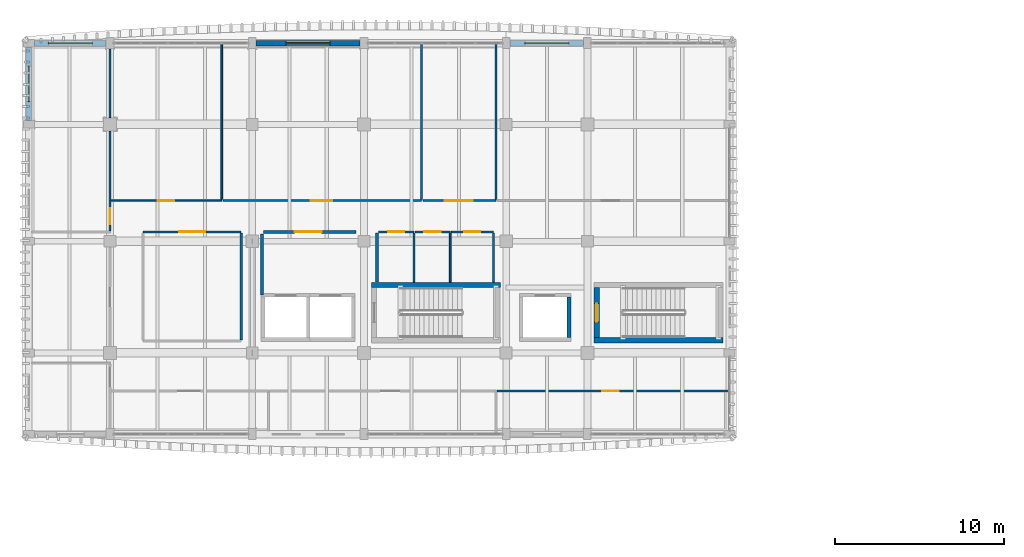
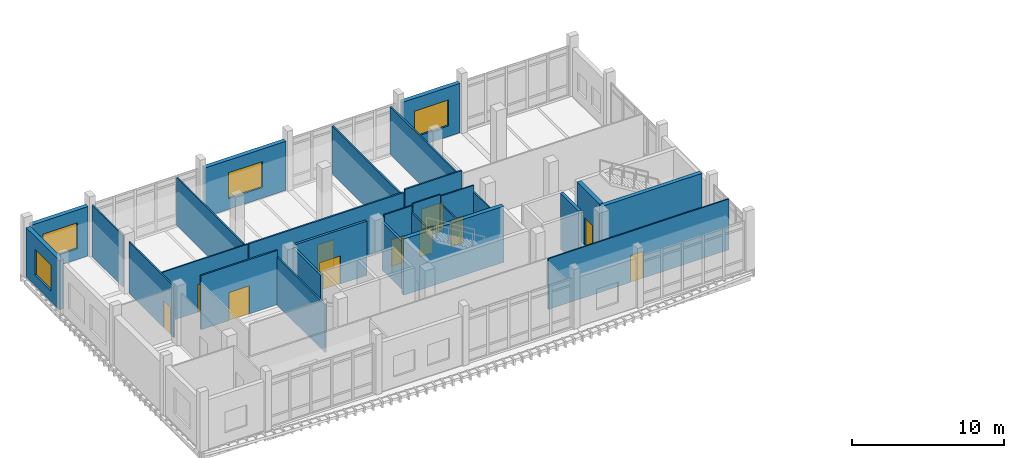
# One storey, part 21 of 39: 28 walls, 11 doors, 4 windows, 15 openings.
"""IFC4 building model written with IfcOpenShell, lengths in metres."""

from ifc_helpers import new_model, si_unit, direction, frame, frame_2d, origin, place, context, subcontext, project, spatial, rectangle, extrude, material, layer, layer_set, type_object, element, fill, save


model = new_model("IFC4")

# Units and contexts
model_context = context("Model", 3, precision=1e-05, world=origin(), true_north=direction((0.0, 1.0)))
body_context = subcontext(model_context, "Body", "Model", "MODEL_VIEW")
ifc_project = project(units=[si_unit("LENGTHUNIT", "METRE"), si_unit("AREAUNIT", "SQUARE_METRE"), si_unit("VOLUMEUNIT", "CUBIC_METRE"), si_unit("PLANEANGLEUNIT", "RADIAN"), si_unit("MASSUNIT", "GRAM", prefix="KILO")], contexts=[model_context])

# Site, building, storey
site_placement = place(None, origin())
site = spatial("IfcSite", under=ifc_project, at=site_placement, CompositionType="ELEMENT")
building_placement = place(site_placement, origin())
building = spatial("IfcBuilding", under=site, at=building_placement, Name="Dornvale Research Institute", CompositionType="ELEMENT")
storey_placement = place(building_placement, frame((0.0, 0.0, 24.60009765625)))
storey = spatial("IfcBuildingStorey", under=building, at=storey_placement, Name="L05", CompositionType="ELEMENT", Elevation=24.60009765625)

# Wall, opening, door
ifc_material_1 = material(Name="Acoustic Insulated Double-Stud Laboratory Partition")
ifc_layer_1 = layer(ifc_material_1, 0.1201171875)
ifc_layer_set_1 = layer_set([ifc_layer_1], Name="Acoustic Insulated Double-Stud Laboratory Partition")
wall_type_1 = type_object("IfcWallType", Name="Partition_Dry_120", PredefinedType="PARTITIONING", material=ifc_layer_set_1)
wall_1_placement = place(storey_placement, frame((6.75, 110.949951171875, 0.0), z_axis=(0.0, 0.0, 1.0), x_axis=(1.0, 0.0, 0.0)))
wall_1 = element("IfcWall", 1, at=wall_1_placement, inside=storey, type_object=wall_type_1, Name="L05 V5 interior partition #452", PredefinedType="PARTITIONING", context=body_context, shape_type="SweptSolid", body=[
    extrude(rectangle(XDim=5.800048828125, YDim=0.1201171875, at=frame_2d((2.89990234375, 0.0))), origin(), (0.0, 0.0, 1.0), 4.344970703125),
])
opening_1_placement = place(wall_1_placement, frame((2.1298828125, 0.0, 0.0)))
opening_1 = element("IfcOpeningElement", 2, at=opening_1_placement, cuts=wall_1, Name="Opening ID-12", PredefinedType="OPENING", context=body_context, shape_type="SweptSolid", body=[
    extrude(rectangle(XDim=1.5400390625, YDim=2.25, at=frame_2d((0.77001953125, 1.125))), frame((0.0, 0.074951171875, 0.0), z_axis=(0.0, -1.0, 0.0), x_axis=(1.0, 0.0, 0.0)), (0.0, 0.0, 1.0), 0.150146484375),
])
ifc_material_2 = material(Name="Phenolic-Faced Solid-Core Laboratory Door Assembly")
door_type_1 = type_object("IfcDoorType", Name="Door_Seminar_1540x2250", OperationType="SINGLE_SWING_LEFT", PredefinedType="DOOR", material=ifc_material_2)
door_1_placement = place(opening_1_placement, origin())
door_1 = element("IfcDoor", 3, at=door_1_placement, inside=storey, type_object=door_type_1, Name="L05 Statistical Consultation Room L05 door #184", OperationType="SINGLE_SWING_LEFT", OverallHeight=2.25, OverallWidth=1.5400390625, PredefinedType="DOOR", context=body_context, shape_type="SweptSolid", body=[
    extrude(rectangle(XDim=1.5400390625, YDim=2.25, at=frame_2d((0.77001953125, 1.125))), frame((0.0, 0.02490234375, 0.0), z_axis=(0.0, -1.0, 0.0), x_axis=(1.0, 0.0, 0.0)), (0.0, 0.0, 1.0), 0.050048828125),
])
fill(opening_1, door_1)

# Wall
wall_2_placement = place(storey_placement, frame((12.550048828125, 104.574951171875, 0.0), z_axis=(0.0, 0.0, 1.0), x_axis=(0.0, 1.0, 0.0)))
element("IfcWall", 4, at=wall_2_placement, inside=storey, type_object=wall_type_1, Name="L05 V5 interior partition #454", PredefinedType="PARTITIONING", context=body_context, shape_type="SweptSolid", body=[
    extrude(rectangle(XDim=6.300048828125, YDim=0.1201171875, at=frame_2d((3.14990234375, 0.0))), origin(), (0.0, 0.0, 1.0), 3.829833984375),
])

# Wall, opening, door
wall_3_placement = place(storey_placement, frame((11.465087890625, 112.800048828125, 0.0), z_axis=(0.0, 0.0, 1.0), x_axis=(1.0, 0.0, 0.0)))
wall_3 = element("IfcWall", 5, at=wall_3_placement, inside=storey, type_object=wall_type_1, Name="L05 V5 interior partition #462", PredefinedType="PARTITIONING", context=body_context, shape_type="SweptSolid", body=[
    extrude(rectangle(XDim=11.73486328125, YDim=0.1201171875, at=frame_2d((5.867431640625, 0.0))), origin(), (0.0, 0.0, 1.0), 4.1298828125),
])
opening_2_placement = place(wall_3_placement, frame((5.205078125, 0.0, 0.0)))
opening_2 = element("IfcOpeningElement", 6, at=opening_2_placement, cuts=wall_3, Name="Opening ID-10", PredefinedType="OPENING", context=body_context, shape_type="SweptSolid", body=[
    extrude(rectangle(XDim=1.260009765625, YDim=2.199951171875, at=frame_2d((0.6298828125, 1.10009765625))), frame((0.0, 0.074951171875, 0.0), z_axis=(0.0, -1.0, 0.0), x_axis=(1.0, 0.0, 0.0)), (0.0, 0.0, 1.0), 0.150146484375),
])
ifc_material_3 = material(Name="Phenolic-Faced Solid-Core Laboratory Door Assembly")
door_type_2 = type_object("IfcDoorType", Name="Door_DryLab_1260x2200", OperationType="SINGLE_SWING_LEFT", PredefinedType="DOOR", material=ifc_material_3)
door_2_placement = place(opening_2_placement, origin())
door_2 = element("IfcDoor", 7, at=door_2_placement, inside=storey, type_object=door_type_2, Name="L05 Applied Mathematics Modelling Studio door #188", OperationType="SINGLE_SWING_LEFT", OverallHeight=2.199951171875, OverallWidth=1.260009765625, PredefinedType="DOOR", context=body_context, shape_type="SweptSolid", body=[
    extrude(rectangle(XDim=1.260009765625, YDim=2.199951171875, at=frame_2d((0.6298828125, 1.10009765625))), frame((0.0, 0.02490234375, 0.0), z_axis=(0.0, -1.0, 0.0), x_axis=(1.0, 0.0, 0.0)), (0.0, 0.0, 1.0), 0.050048828125),
])
fill(opening_2, door_2)

# Wall
wall_4_placement = place(storey_placement, frame((23.199951171875, 112.875, 0.0), z_axis=(0.0, 0.0, 1.0), x_axis=(0.0, 1.0, 0.0)))
element("IfcWall", 8, at=wall_4_placement, inside=storey, type_object=wall_type_1, Name="L05 V5 interior partition #463", PredefinedType="PARTITIONING", context=body_context, shape_type="SweptSolid", body=[
    extrude(rectangle(XDim=9.18505859375, YDim=0.1201171875, at=frame_2d((4.592529296875, 0.0))), origin(), (0.0, 0.0, 1.0), 3.829833984375),
])

# Wall, opening, door
wall_5_placement = place(storey_placement, frame((23.27490234375, 112.800048828125, 0.0), z_axis=(0.0, 0.0, 1.0), x_axis=(1.0, 0.0, 0.0)))
wall_5 = element("IfcWall", 9, at=wall_5_placement, inside=storey, type_object=wall_type_1, Name="L05 V5 interior partition #464", PredefinedType="PARTITIONING", context=body_context, shape_type="SweptSolid", body=[
    extrude(rectangle(XDim=4.3251953125, YDim=0.1201171875, at=frame_2d((2.16259765625, 0.0))), origin(), (0.0, 0.0, 1.0), 4.344970703125),
])
opening_3_placement = place(wall_5_placement, frame((1.284912109375, 0.0, 0.0)))
opening_3 = element("IfcOpeningElement", 10, at=opening_3_placement, cuts=wall_5, Name="Opening ID-11", PredefinedType="OPENING", context=body_context, shape_type="SweptSolid", body=[
    extrude(rectangle(XDim=1.679931640625, YDim=2.300048828125, at=frame_2d((0.83984375, 1.14990234375))), frame((0.0, 0.074951171875, 0.0), z_axis=(0.0, -1.0, 0.0), x_axis=(1.0, 0.0, 0.0)), (0.0, 0.0, 1.0), 0.150146484375),
])
ifc_material_4 = material(Name="Phenolic-Faced Solid-Core Laboratory Door Assembly")
door_type_3 = type_object("IfcDoorType", Name="Door_Seminar_1680x2300", OperationType="SINGLE_SWING_LEFT", PredefinedType="DOOR", material=ifc_material_4)
door_3_placement = place(opening_3_placement, origin())
door_3 = element("IfcDoor", 11, at=door_3_placement, inside=storey, type_object=door_type_3, Name="L05 Seminar Room L05 door #189", OperationType="DOUBLE_DOOR_SINGLE_SWING", OverallHeight=2.300048828125, OverallWidth=1.679931640625, PredefinedType="DOOR", context=body_context, shape_type="SweptSolid", body=[
    extrude(rectangle(XDim=1.679931640625, YDim=2.300048828125, at=frame_2d((0.83984375, 1.14990234375))), frame((0.0, 0.02490234375, 0.0), z_axis=(0.0, -1.0, 0.0), x_axis=(1.0, 0.0, 0.0)), (0.0, 0.0, 1.0), 0.050048828125),
])
fill(opening_3, door_3)

# Wall
wall_6_placement = place(storey_placement, frame((27.60009765625, 112.875, 0.0), z_axis=(0.0, 0.0, 1.0), x_axis=(0.0, 1.0, 0.0)))
element("IfcWall", 12, at=wall_6_placement, inside=storey, type_object=wall_type_1, Name="L05 V5 interior partition #465", PredefinedType="PARTITIONING", context=body_context, shape_type="SweptSolid", body=[
    extrude(rectangle(XDim=9.18505859375, YDim=0.1201171875, at=frame_2d((4.592529296875, 0.0))), origin(), (0.0, 0.0, 1.0), 3.829833984375),
])

# Wall, opening, door
ifc_material_5 = material(Name="Fire-Rated Gypsum Board on Cold-Formed Steel Studs", Category="steel")
ifc_layer_2 = layer(ifc_material_5, 0.179931640625)
ifc_layer_set_2 = layer_set([ifc_layer_2], Name="Fire-Rated Gypsum Board on Cold-Formed Steel Studs")
wall_type_2 = type_object("IfcWallType", Name="Partition_FireLobby_180", PredefinedType="PARTITIONING", material=ifc_layer_set_2)
wall_7_placement = place(storey_placement, frame((13.85009765625, 110.949951171875, 0.0), z_axis=(0.0, 0.0, 1.0), x_axis=(1.0, 0.0, 0.0)))
wall_7 = element("IfcWall", 13, at=wall_7_placement, inside=storey, type_object=wall_type_2, Name="L05 Fire Service Access Elevator Lobby north rated partition", PredefinedType="PARTITIONING", context=body_context, shape_type="SweptSolid", body=[
    extrude(rectangle(XDim=5.469970703125, YDim=0.179931640625, at=frame_2d((2.73486328125, 0.0))), origin(), (0.0, 0.0, 1.0), 4.344970703125),
])
opening_4_placement = place(wall_7_placement, frame((1.85009765625, 0.0, 0.0)))
opening_4 = element("IfcOpeningElement", 14, at=opening_4_placement, cuts=wall_7, Name="Opening FD-01", PredefinedType="OPENING", context=body_context, shape_type="SweptSolid", body=[
    extrude(rectangle(XDim=1.60009765625, YDim=2.25, at=frame_2d((0.800048828125, 1.125))), frame((0.0, 0.10498046875, 0.0), z_axis=(0.0, -1.0, 0.0), x_axis=(1.0, 0.0, 0.0)), (0.0, 0.0, 1.0), 0.2099609375),
])
ifc_material_6 = material(Name="Insulated Fire-Rated Hollow Metal Door Assembly")
door_type_4 = type_object("IfcDoorType", Name="Door_FireLobby_1600x2250", OperationType="SINGLE_SWING_LEFT", PredefinedType="DOOR", material=ifc_material_6)
door_4_placement = place(opening_4_placement, origin())
door_4 = element("IfcDoor", 15, at=door_4_placement, inside=storey, type_object=door_type_4, Name="L05 Fire Service Access Elevator Lobby door", OperationType="DOUBLE_DOOR_SINGLE_SWING", OverallHeight=2.25, OverallWidth=1.60009765625, PredefinedType="DOOR", context=body_context, shape_type="SweptSolid", body=[
    extrude(rectangle(XDim=1.60009765625, YDim=2.25, at=frame_2d((0.800048828125, 1.125))), frame((0.0, 0.02490234375, 0.0), z_axis=(0.0, -1.0, 0.0), x_axis=(1.0, 0.0, 0.0)), (0.0, 0.0, 1.0), 0.050048828125),
])
fill(opening_4, door_4)

# Walls
wall_8_placement = place(storey_placement, frame((13.780029296875, 107.22998046875, 0.0), z_axis=(0.0, 0.0, 1.0), x_axis=(0.0, 1.0, 0.0)))
element("IfcWall", 16, at=wall_8_placement, inside=storey, type_object=wall_type_2, Name="L05 Fire Service Access Elevator Lobby west rated partition", PredefinedType="PARTITIONING", context=body_context, shape_type="SweptSolid", body=[
    extrude(rectangle(XDim=3.610107421875, YDim=0.179931640625, at=frame_2d((1.80517578125, 0.0))), origin(), (0.0, 0.0, 1.0), 4.179931640625),
])
wall_9_placement = place(storey_placement, frame((20.56005859375, 107.97998046875, 0.0), z_axis=(0.0, 0.0, 1.0), x_axis=(0.0, 1.0, 0.0)))
element("IfcWall", 17, at=wall_9_placement, inside=storey, type_object=wall_type_2, Name="L05 Fire Service Access Elevator Lobby east rated partition", PredefinedType="PARTITIONING", context=body_context, shape_type="SweptSolid", body=[
    extrude(rectangle(XDim=2.909912109375, YDim=0.179931640625, at=frame_2d((1.455078125, 0.0))), origin(), (0.0, 0.0, 1.0), 3.829833984375),
])

# Wall, opening, door
ifc_material_7 = material(Name="Acoustic Insulated Double-Stud Laboratory Partition")
ifc_layer_3 = layer(ifc_material_7, 0.10009765625)
ifc_layer_set_3 = layer_set([ifc_layer_3], Name="Acoustic Insulated Double-Stud Laboratory Partition")
wall_type_3 = type_object("IfcWallType", Name="Partition_Office_100", PredefinedType="PARTITIONING", material=ifc_layer_set_3)
wall_10_placement = place(storey_placement, frame((20.6650390625, 110.949951171875, 0.0), z_axis=(0.0, 0.0, 1.0), x_axis=(1.0, 0.0, 0.0)))
wall_10 = element("IfcWall", 18, at=wall_10_placement, inside=storey, type_object=wall_type_3, Name="L05 V5 interior partition #445", PredefinedType="PARTITIONING", context=body_context, shape_type="SweptSolid", body=[
    extrude(rectangle(XDim=2.0849609375, YDim=0.10009765625, at=frame_2d((1.04248046875, 0.0))), origin(), (0.0, 0.0, 1.0), 4.344970703125),
])
opening_5_placement = place(wall_10_placement, frame((0.56005859375, 0.0, 0.0)))
opening_5 = element("IfcOpeningElement", 19, at=opening_5_placement, cuts=wall_10, Name="Opening ID-23", PredefinedType="OPENING", context=body_context, shape_type="SweptSolid", body=[
    extrude(rectangle(XDim=0.949951171875, YDim=2.14990234375, at=frame_2d((0.47509765625, 1.074951171875))), frame((0.0, 0.06494140625, 0.0), z_axis=(0.0, -1.0, 0.0), x_axis=(1.0, 0.0, 0.0)), (0.0, 0.0, 1.0), 0.130126953125),
])
ifc_material_8 = material(Name="Phenolic-Faced Solid-Core Laboratory Door Assembly")
door_type_5 = type_object("IfcDoorType", Name="Door_WC_950x2150", OperationType="SINGLE_SWING_LEFT", PredefinedType="DOOR", material=ifc_material_8)
door_5_placement = place(opening_5_placement, origin())
door_5 = element("IfcDoor", 20, at=door_5_placement, inside=storey, type_object=door_type_5, Name="L05 Male Restroom L05 door #181", OperationType="SINGLE_SWING_RIGHT", OverallHeight=2.14990234375, OverallWidth=0.949951171875, PredefinedType="DOOR", context=body_context, shape_type="SweptSolid", body=[
    extrude(rectangle(XDim=0.949951171875, YDim=2.14990234375, at=frame_2d((0.47509765625, 1.074951171875))), frame((0.0, 0.02490234375, 0.0), z_axis=(0.0, -1.0, 0.0), x_axis=(1.0, 0.0, 0.0)), (0.0, 0.0, 1.0), 0.050048828125),
])
fill(opening_5, door_5)

# Wall
wall_11_placement = place(storey_placement, frame((22.75, 107.97998046875, 0.0), z_axis=(0.0, 0.0, 1.0), x_axis=(0.0, 1.0, 0.0)))
element("IfcWall", 21, at=wall_11_placement, inside=storey, type_object=wall_type_3, Name="L05 V5 interior partition #446", PredefinedType="PARTITIONING", context=body_context, shape_type="SweptSolid", body=[
    extrude(rectangle(XDim=2.905029296875, YDim=0.10009765625, at=frame_2d((1.45263671875, 0.0))), origin(), (0.0, 0.0, 1.0), 3.829833984375),
])

# Wall, opening, door
wall_12_placement = place(storey_placement, frame((22.81494140625, 110.949951171875, 0.0), z_axis=(0.0, 0.0, 1.0), x_axis=(1.0, 0.0, 0.0)))
wall_12 = element("IfcWall", 22, at=wall_12_placement, inside=storey, type_object=wall_type_3, Name="L05 V5 interior partition #447", PredefinedType="PARTITIONING", context=body_context, shape_type="SweptSolid", body=[
    extrude(rectangle(XDim=2.0849609375, YDim=0.10009765625, at=frame_2d((1.04248046875, 0.0))), origin(), (0.0, 0.0, 1.0), 4.47998046875),
])
opening_6_placement = place(wall_12_placement, frame((0.534912109375, 0.0, 0.0)))
opening_6 = element("IfcOpeningElement", 23, at=opening_6_placement, cuts=wall_12, Name="Opening ID-24", PredefinedType="OPENING", context=body_context, shape_type="SweptSolid", body=[
    extrude(rectangle(XDim=1.0, YDim=2.14990234375, at=frame_2d((0.5, 1.074951171875))), frame((0.0, 0.06494140625, 0.0), z_axis=(0.0, -1.0, 0.0), x_axis=(1.0, 0.0, 0.0)), (0.0, 0.0, 1.0), 0.130126953125),
])
ifc_material_9 = material(Name="Phenolic-Faced Solid-Core Laboratory Door Assembly")
door_type_6 = type_object("IfcDoorType", Name="Door_AccWC_1000x2150", OperationType="SINGLE_SWING_LEFT", PredefinedType="DOOR", material=ifc_material_9)
door_6_placement = place(opening_6_placement, origin())
door_6 = element("IfcDoor", 24, at=door_6_placement, inside=storey, type_object=door_type_6, Name="L05 Female Restroom L05 door #182", OperationType="SINGLE_SWING_LEFT", OverallHeight=2.14990234375, OverallWidth=1.0, PredefinedType="DOOR", context=body_context, shape_type="SweptSolid", body=[
    extrude(rectangle(XDim=1.0, YDim=2.14990234375, at=frame_2d((0.5, 1.074951171875))), frame((0.0, 0.02490234375, 0.0), z_axis=(0.0, -1.0, 0.0), x_axis=(1.0, 0.0, 0.0)), (0.0, 0.0, 1.0), 0.050048828125),
])
fill(opening_6, door_6)

# Wall
wall_13_placement = place(storey_placement, frame((24.89990234375, 107.97998046875, 0.0), z_axis=(0.0, 0.0, 1.0), x_axis=(0.0, 1.0, 0.0)))
element("IfcWall", 25, at=wall_13_placement, inside=storey, type_object=wall_type_3, Name="L05 V5 interior partition #448", PredefinedType="PARTITIONING", context=body_context, shape_type="SweptSolid", body=[
    extrude(rectangle(XDim=2.905029296875, YDim=0.10009765625, at=frame_2d((1.45263671875, 0.0))), origin(), (0.0, 0.0, 1.0), 3.829833984375),
])

# Wall, opening, door
wall_14_placement = place(storey_placement, frame((24.965087890625, 110.949951171875, 0.0), z_axis=(0.0, 0.0, 1.0), x_axis=(1.0, 0.0, 0.0)))
wall_14 = element("IfcWall", 26, at=wall_14_placement, inside=storey, type_object=wall_type_3, Name="L05 V5 interior partition #449", PredefinedType="PARTITIONING", context=body_context, shape_type="SweptSolid", body=[
    extrude(rectangle(XDim=2.48486328125, YDim=0.10009765625, at=frame_2d((1.242431640625, 0.0))), origin(), (0.0, 0.0, 1.0), 4.344970703125),
])
opening_7_placement = place(wall_14_placement, frame((0.760009765625, 0.0, 0.0)))
opening_7 = element("IfcOpeningElement", 27, at=opening_7_placement, cuts=wall_14, Name="Opening ID-23", PredefinedType="OPENING", context=body_context, shape_type="SweptSolid", body=[
    extrude(rectangle(XDim=0.949951171875, YDim=2.14990234375, at=frame_2d((0.47509765625, 1.074951171875))), frame((0.0, 0.06494140625, 0.0), z_axis=(0.0, -1.0, 0.0), x_axis=(1.0, 0.0, 0.0)), (0.0, 0.0, 1.0), 0.130126953125),
])
door_7_placement = place(opening_7_placement, origin())
door_7 = element("IfcDoor", 28, at=door_7_placement, inside=storey, type_object=door_type_5, Name="L05 Accessible Restroom L05 door #183", OperationType="SINGLE_SWING_RIGHT", OverallHeight=2.14990234375, OverallWidth=0.949951171875, PredefinedType="DOOR", context=body_context, shape_type="SweptSolid", body=[
    extrude(rectangle(XDim=0.949951171875, YDim=2.14990234375, at=frame_2d((0.47509765625, 1.074951171875))), frame((0.0, 0.02490234375, 0.0), z_axis=(0.0, -1.0, 0.0), x_axis=(1.0, 0.0, 0.0)), (0.0, 0.0, 1.0), 0.050048828125),
])
fill(opening_7, door_7)

# Wall
wall_15_placement = place(storey_placement, frame((27.449951171875, 107.97998046875, 0.0), z_axis=(0.0, 0.0, 1.0), x_axis=(0.0, 1.0, 0.0)))
element("IfcWall", 29, at=wall_15_placement, inside=storey, type_object=wall_type_3, Name="L05 V5 interior partition #450", PredefinedType="PARTITIONING", context=body_context, shape_type="SweptSolid", body=[
    extrude(rectangle(XDim=2.905029296875, YDim=0.10009765625, at=frame_2d((1.45263671875, 0.0))), origin(), (0.0, 0.0, 1.0), 3.829833984375),
])

# Wall, opening, door
wall_16_placement = place(storey_placement, frame((4.800048828125, 111.014892578125, 0.0), z_axis=(0.0, 0.0, 1.0), x_axis=(0.0, 1.0, 0.0)))
wall_16 = element("IfcWall", 30, at=wall_16_placement, inside=storey, type_object=wall_type_3, Name="L05 V5 interior partition #458", PredefinedType="PARTITIONING", context=body_context, shape_type="SweptSolid", body=[
    extrude(rectangle(XDim=5.89013671875, YDim=0.10009765625, at=frame_2d((2.945068359375, 0.0))), origin(), (0.0, 0.0, 1.0), 4.1298828125),
])
opening_8_placement = place(wall_16_placement, frame((0.385009765625, 0.0, 0.0)))
opening_8 = element("IfcOpeningElement", 31, at=opening_8_placement, cuts=wall_16, Name="Opening ID-22", PredefinedType="OPENING", context=body_context, shape_type="SweptSolid", body=[
    extrude(rectangle(XDim=0.9599609375, YDim=2.14990234375, at=frame_2d((0.47998046875, 1.074951171875))), frame((0.0, 0.06494140625, 0.0), z_axis=(0.0, -1.0, 0.0), x_axis=(1.0, 0.0, 0.0)), (0.0, 0.0, 1.0), 0.130126953125),
])
ifc_material_10 = material(Name="Phenolic-Faced Solid-Core Laboratory Door Assembly")
door_type_7 = type_object("IfcDoorType", Name="Door_Office_960x2150", OperationType="SINGLE_SWING_LEFT", PredefinedType="DOOR", material=ifc_material_10)
door_8_placement = place(opening_8_placement, origin())
door_8 = element("IfcDoor", 32, at=door_8_placement, inside=storey, type_object=door_type_7, Name="L05 Principal Investigator Office L05-A door #186", OperationType="SINGLE_SWING_LEFT", OverallHeight=2.14990234375, OverallWidth=0.9599609375, PredefinedType="DOOR", context=body_context, shape_type="SweptSolid", body=[
    extrude(rectangle(XDim=0.9599609375, YDim=2.14990234375, at=frame_2d((0.47998046875, 1.074951171875))), frame((0.0, 0.02490234375, 0.0), z_axis=(0.0, -1.0, 0.0), x_axis=(1.0, 0.0, 0.0)), (0.0, 0.0, 1.0), 0.050048828125),
])
fill(opening_8, door_8)

# Wall
wall_17_placement = place(storey_placement, frame((4.800048828125, 117.695068359375, 0.0), z_axis=(0.0, 0.0, 1.0), x_axis=(0.0, 1.0, 0.0)))
element("IfcWall", 33, at=wall_17_placement, inside=storey, type_object=wall_type_3, Name="L05 V5 interior partition #459", PredefinedType="PARTITIONING", context=body_context, shape_type="SweptSolid", body=[
    extrude(rectangle(XDim=4.059814453125, YDim=0.10009765625, at=frame_2d((2.02978515625, 0.0))), origin(), (0.0, 0.0, 1.0), 4.1298828125),
])

# Wall, opening, door
wall_18_placement = place(storey_placement, frame((4.864990234375, 112.800048828125, 0.0), z_axis=(0.0, 0.0, 1.0), x_axis=(1.0, 0.0, 0.0)))
wall_18 = element("IfcWall", 34, at=wall_18_placement, inside=storey, type_object=wall_type_3, Name="L05 V5 interior partition #460", PredefinedType="PARTITIONING", context=body_context, shape_type="SweptSolid", body=[
    extrude(rectangle(XDim=6.534912109375, YDim=0.10009765625, at=frame_2d((3.267578125, 0.0))), origin(), (0.0, 0.0, 1.0), 4.1298828125),
])
opening_9_placement = place(wall_18_placement, frame((2.7451171875, 0.0, 0.0)))
opening_9 = element("IfcOpeningElement", 35, at=opening_9_placement, cuts=wall_18, Name="Opening ID-21", PredefinedType="OPENING", context=body_context, shape_type="SweptSolid", body=[
    extrude(rectangle(XDim=0.97998046875, YDim=2.199951171875, at=frame_2d((0.489990234375, 1.10009765625))), frame((0.0, 0.06494140625, 0.0), z_axis=(0.0, -1.0, 0.0), x_axis=(1.0, 0.0, 0.0)), (0.0, 0.0, 1.0), 0.130126953125),
])
ifc_material_11 = material(Name="Phenolic-Faced Solid-Core Laboratory Door Assembly")
door_type_8 = type_object("IfcDoorType", Name="Door_Office_980x2200", OperationType="SINGLE_SWING_LEFT", PredefinedType="DOOR", material=ifc_material_11)
door_9_placement = place(opening_9_placement, origin())
door_9 = element("IfcDoor", 36, at=door_9_placement, inside=storey, type_object=door_type_8, Name="L05 Principal Investigator Office L05-A door #187", OperationType="SINGLE_SWING_RIGHT", OverallHeight=2.199951171875, OverallWidth=0.97998046875, PredefinedType="DOOR", context=body_context, shape_type="SweptSolid", body=[
    extrude(rectangle(XDim=0.97998046875, YDim=2.199951171875, at=frame_2d((0.489990234375, 1.10009765625))), frame((0.0, 0.02490234375, 0.0), z_axis=(0.0, -1.0, 0.0), x_axis=(1.0, 0.0, 0.0)), (0.0, 0.0, 1.0), 0.050048828125),
])
fill(opening_9, door_9)

# Wall
wall_19_placement = place(storey_placement, frame((11.39990234375, 112.864990234375, 0.0), z_axis=(0.0, 0.0, 1.0), x_axis=(0.0, 1.0, 0.0)))
element("IfcWall", 37, at=wall_19_placement, inside=storey, type_object=wall_type_3, Name="L05 V5 interior partition #461", PredefinedType="PARTITIONING", context=body_context, shape_type="SweptSolid", body=[
    extrude(rectangle(XDim=9.195068359375, YDim=0.10009765625, at=frame_2d((4.59765625, 0.0))), origin(), (0.0, 0.0, 1.0), 3.829833984375),
])

# Wall, opening, door
wall_20_placement = place(storey_placement, frame((27.6650390625, 101.550048828125, 0.0), z_axis=(0.0, 0.0, 1.0), x_axis=(1.0, 0.0, 0.0)))
wall_20 = element("IfcWall", 38, at=wall_20_placement, inside=storey, type_object=wall_type_3, Name="L05 V5 interior partition #472", PredefinedType="PARTITIONING", context=body_context, shape_type="SweptSolid", body=[
    extrude(rectangle(XDim=13.695068359375, YDim=0.10009765625, at=frame_2d((6.84765625, 0.0))), origin(), (0.0, 0.0, 1.0), 4.079833984375),
])
opening_10_placement = place(wall_20_placement, frame((6.215087890625, 0.0, 0.0)))
opening_10 = element("IfcOpeningElement", 39, at=opening_10_placement, cuts=wall_20, Name="Opening ID-22", PredefinedType="OPENING", context=body_context, shape_type="SweptSolid", body=[
    extrude(rectangle(XDim=0.9599609375, YDim=2.14990234375, at=frame_2d((0.47998046875, 1.074951171875))), frame((0.0, 0.06494140625, 0.0), z_axis=(0.0, -1.0, 0.0), x_axis=(1.0, 0.0, 0.0)), (0.0, 0.0, 1.0), 0.130126953125),
])
door_10_placement = place(opening_10_placement, origin())
door_10 = element("IfcDoor", 40, at=door_10_placement, inside=storey, type_object=door_type_7, Name="L05 Faculty Office L05-S door #194", OperationType="SINGLE_SWING_LEFT", OverallHeight=2.14990234375, OverallWidth=0.9599609375, PredefinedType="DOOR", context=body_context, shape_type="SweptSolid", body=[
    extrude(rectangle(XDim=0.9599609375, YDim=2.14990234375, at=frame_2d((0.47998046875, 1.074951171875))), frame((0.0, 0.02490234375, 0.0), z_axis=(0.0, -1.0, 0.0), x_axis=(1.0, 0.0, 0.0)), (0.0, 0.0, 1.0), 0.050048828125),
])
fill(opening_10, door_10)

# Walls
ifc_material_12 = material(Name="Concrete f'c 50 MPa (C40/50)", Category="concrete")
ifc_layer_4 = layer(ifc_material_12, 0.300048828125)
ifc_layer_set_4 = layer_set([ifc_layer_4], Name="Concrete f'c 50 MPa (C40/50)")
wall_type_4 = type_object("IfcWallType", Name="ShearWall_Core_300", PredefinedType="SHEAR", material=ifc_layer_set_4)
for number, where, z_axis, x_axis, name in (
    (41, (20.25, 107.81005859375, 0.0), (0.0, 0.0, 1.0), (1.0, 0.0, 0.0), "L05 ST-1 shaft shear wall north"),
    (42, (33.39990234375, 104.550048828125, 0.0), (0.0, 0.0, 1.0), (1.0, 0.0, 0.0), "L05 ST-2 shaft shear wall south"),
):
    element("IfcWall", number, at=place(storey_placement, frame(where, z_axis=z_axis, x_axis=x_axis)), inside=storey, type_object=wall_type_4, Name=name, PredefinedType="SHEAR", context=body_context, shape_type="SweptSolid", body=[
        extrude(rectangle(XDim=7.60009765625, YDim=0.300048828125, at=frame_2d((3.800048828125, 0.0))), origin(), (0.0, 0.0, 1.0), 4.5),
    ])

# Wall, opening, door
wall_21_placement = place(storey_placement, frame((33.550048828125, 104.699951171875, 0.0), z_axis=(0.0, 0.0, 1.0), x_axis=(0.0, 1.0, 0.0)))
wall_21 = element("IfcWall", 43, at=wall_21_placement, inside=storey, type_object=wall_type_4, Name="L05 ST-2 shaft shear wall west", PredefinedType="SHEAR", context=body_context, shape_type="SweptSolid", body=[
    extrude(rectangle(XDim=2.9599609375, YDim=0.300048828125, at=frame_2d((1.47998046875, 0.0))), origin(), (0.0, 0.0, 1.0), 4.5),
])
opening_11_placement = place(wall_21_placement, frame((0.93994140625, 0.0, 0.0)))
opening_11 = element("IfcOpeningElement", 44, at=opening_11_placement, cuts=wall_21, Name="Opening SD-02", PredefinedType="OPENING", context=body_context, shape_type="SweptSolid", body=[
    extrude(rectangle(XDim=1.080078125, YDim=2.199951171875, at=frame_2d((0.5400390625, 1.10009765625))), frame((0.0, 0.1650390625, 0.0), z_axis=(0.0, -1.0, 0.0), x_axis=(1.0, 0.0, 0.0)), (0.0, 0.0, 1.0), 0.330078125),
])
ifc_material_13 = material(Name="Insulated Fire-Rated Hollow Metal Door Assembly")
door_type_9 = type_object("IfcDoorType", Name="Door_Stair_1080x2200", OperationType="SINGLE_SWING_LEFT", PredefinedType="DOOR", material=ifc_material_13)
door_11_placement = place(opening_11_placement, origin())
door_11 = element("IfcDoor", 45, at=door_11_placement, inside=storey, type_object=door_type_9, Name="L05 ST-2 exit stair door #19", OperationType="SINGLE_SWING_RIGHT", OverallHeight=2.199951171875, OverallWidth=1.080078125, PredefinedType="DOOR", context=body_context, shape_type="SweptSolid", body=[
    extrude(rectangle(XDim=1.080078125, YDim=2.199951171875, at=frame_2d((0.5400390625, 1.10009765625))), frame((0.0, 0.02490234375, 0.0), z_axis=(0.0, -1.0, 0.0), x_axis=(1.0, 0.0, 0.0)), (0.0, 0.0, 1.0), 0.050048828125),
])
fill(opening_11, door_11)

# Wall
ifc_material_14 = material(Name="Concrete f'c 45 MPa (C35/45)", Category="concrete")
ifc_layer_5 = layer(ifc_material_14, 0.219970703125)
ifc_layer_set_5 = layer_set([ifc_layer_5], Name="Concrete f'c 45 MPa (C35/45)")
wall_type_5 = type_object("IfcWallType", Name="ShearWall_Shaft_220", PredefinedType="SHEAR", material=ifc_layer_set_5)
wall_22_placement = place(storey_placement, frame((31.909912109375, 104.699951171875, 0.0), z_axis=(0.0, 0.0, 1.0), x_axis=(0.0, 1.0, 0.0)))
element("IfcWall", 46, at=wall_22_placement, inside=storey, type_object=wall_type_5, Name="L05 LP1 elevator shaft wall east", PredefinedType="SHEAR", context=body_context, shape_type="SweptSolid", body=[
    extrude(rectangle(XDim=2.400146484375, YDim=0.219970703125, at=frame_2d((1.2001953125, 0.0))), origin(), (0.0, 0.0, 1.0), 4.5),
])

# Wall, opening, window
ifc_material_15 = material(Name="Catalan Pressed Brick and Insulated Cavity Assembly", Category="masonry")
ifc_layer_6 = layer(ifc_material_15, 0.320068359375)
ifc_layer_set_6 = layer_set([ifc_layer_6], Name="Catalan Pressed Brick and Insulated Cavity Assembly")
wall_type_6 = type_object("IfcWallType", Name="StandardWall_BrickCavity_320", PredefinedType="STANDARD", material=ifc_layer_set_6)
wall_23_placement = place(storey_placement, frame((0.0, 117.52490234375, 0.0), z_axis=(0.0, 0.0, 1.0), x_axis=(0.0, 1.0, 0.0)))
wall_23 = element("IfcWall", 47, at=wall_23_placement, inside=storey, type_object=wall_type_6, Name="L05 V5 west exterior wall #360", PredefinedType="STANDARD", context=body_context, shape_type="SweptSolid", body=[
    extrude(rectangle(XDim=4.35009765625, YDim=0.320068359375, at=frame_2d((2.175048828125, 0.0))), origin(), (0.0, 0.0, 1.0), 3.949951171875),
])
opening_12_placement = place(wall_23_placement, frame((1.125, 0.0, 0.85009765625)))
opening_12 = element("IfcOpeningElement", 48, at=opening_12_placement, cuts=wall_23, Name="Opening W-43", PredefinedType="OPENING", context=body_context, shape_type="SweptSolid", body=[
    extrude(rectangle(XDim=2.10009765625, YDim=2.080078125, at=frame_2d((1.050048828125, 1.0400390625))), frame((0.0, 0.175048828125, 0.0), z_axis=(0.0, -1.0, 0.0), x_axis=(1.0, 0.0, 0.0)), (0.0, 0.0, 1.0), 0.35009765625),
])
ifc_material_16 = material(Name="Low-E Argon Double Insulating Glazing Unit", Category="glass")
window_type_1 = type_object("IfcWindowType", Name="Window_Alu_2100x2080_43", PartitioningType="DOUBLE_PANEL_VERTICAL", PredefinedType="WINDOW", material=ifc_material_16)
window_1_placement = place(opening_12_placement, origin())
window_1 = element("IfcWindow", 49, at=window_1_placement, inside=storey, type_object=window_type_1, Name="L05 V5 facade window W-43 #481", OverallHeight=2.080078125, OverallWidth=2.10009765625, PartitioningType="DOUBLE_PANEL_VERTICAL", PredefinedType="WINDOW", context=body_context, shape_type="SweptSolid", body=[
    extrude(rectangle(XDim=2.10009765625, YDim=2.080078125, at=frame_2d((1.050048828125, 1.0400390625))), frame((0.0, 0.030029296875, 0.0), z_axis=(0.0, -1.0, 0.0), x_axis=(1.0, 0.0, 0.0)), (0.0, 0.0, 1.0), 0.06005859375),
])
fill(opening_12, window_1)

wall_24_placement = place(storey_placement, frame((0.324951171875, 122.10009765625, 0.0), z_axis=(0.0, 0.0, 1.0), x_axis=(1.0, 0.0, 0.0)))
wall_24 = element("IfcWall", 50, at=wall_24_placement, inside=storey, type_object=wall_type_6, Name="L05 V5 north exterior wall #361", PredefinedType="STANDARD", context=body_context, shape_type="SweptSolid", body=[
    extrude(rectangle(XDim=4.25, YDim=0.320068359375, at=frame_2d((2.125, 0.0))), origin(), (0.0, 0.0, 1.0), 3.949951171875),
])
opening_13_placement = place(wall_24_placement, frame((0.824951171875, 0.0, 0.85009765625)))
opening_13 = element("IfcOpeningElement", 51, at=opening_13_placement, cuts=wall_24, Name="Opening W-46", PredefinedType="OPENING", context=body_context, shape_type="SweptSolid", body=[
    extrude(rectangle(XDim=2.60009765625, YDim=2.080078125, at=frame_2d((1.300048828125, 1.0400390625))), frame((0.0, 0.175048828125, 0.0), z_axis=(0.0, -1.0, 0.0), x_axis=(1.0, 0.0, 0.0)), (0.0, 0.0, 1.0), 0.35009765625),
])
ifc_material_17 = material(Name="Low-E Argon Double Insulating Glazing Unit", Category="glass")
window_type_2 = type_object("IfcWindowType", Name="Window_Alu_2600x2080_46", PartitioningType="DOUBLE_PANEL_VERTICAL", PredefinedType="WINDOW", material=ifc_material_17)
window_2_placement = place(opening_13_placement, origin())
window_2 = element("IfcWindow", 52, at=window_2_placement, inside=storey, type_object=window_type_2, Name="L05 V5 facade window W-46 #482", OverallHeight=2.080078125, OverallWidth=2.60009765625, PartitioningType="DOUBLE_PANEL_VERTICAL", PredefinedType="WINDOW", context=body_context, shape_type="SweptSolid", body=[
    extrude(rectangle(XDim=2.60009765625, YDim=2.080078125, at=frame_2d((1.300048828125, 1.0400390625))), frame((0.0, 0.030029296875, 0.0), z_axis=(0.0, -1.0, 0.0), x_axis=(1.0, 0.0, 0.0)), (0.0, 0.0, 1.0), 0.06005859375),
])
fill(opening_13, window_2)

wall_25_placement = place(storey_placement, frame((13.425048828125, 122.10009765625, 0.0), z_axis=(0.0, 0.0, 1.0), x_axis=(1.0, 0.0, 0.0)))
wall_25 = element("IfcWall", 53, at=wall_25_placement, inside=storey, type_object=wall_type_6, Name="L05 V5 north exterior wall #362", PredefinedType="STANDARD", context=body_context, shape_type="SweptSolid", body=[
    extrude(rectangle(XDim=6.14990234375, YDim=0.320068359375, at=frame_2d((3.074951171875, 0.0))), origin(), (0.0, 0.0, 1.0), 3.929931640625),
])
opening_14_placement = place(wall_25_placement, frame((1.77490234375, 0.0, 0.85009765625)))
opening_14 = element("IfcOpeningElement", 54, at=opening_14_placement, cuts=wall_25, Name="Opening W-46", PredefinedType="OPENING", context=body_context, shape_type="SweptSolid", body=[
    extrude(rectangle(XDim=2.60009765625, YDim=2.080078125, at=frame_2d((1.300048828125, 1.0400390625))), frame((0.0, 0.175048828125, 0.0), z_axis=(0.0, -1.0, 0.0), x_axis=(1.0, 0.0, 0.0)), (0.0, 0.0, 1.0), 0.35009765625),
])
window_3_placement = place(opening_14_placement, origin())
window_3 = element("IfcWindow", 55, at=window_3_placement, inside=storey, type_object=window_type_2, Name="L05 V5 facade window W-46 #483", OverallHeight=2.080078125, OverallWidth=2.60009765625, PartitioningType="DOUBLE_PANEL_VERTICAL", PredefinedType="WINDOW", context=body_context, shape_type="SweptSolid", body=[
    extrude(rectangle(XDim=2.60009765625, YDim=2.080078125, at=frame_2d((1.300048828125, 1.0400390625))), frame((0.0, 0.030029296875, 0.0), z_axis=(0.0, -1.0, 0.0), x_axis=(1.0, 0.0, 0.0)), (0.0, 0.0, 1.0), 0.06005859375),
])
fill(opening_14, window_3)

wall_26_placement = place(storey_placement, frame((28.425048828125, 122.10009765625, 0.0), z_axis=(0.0, 0.0, 1.0), x_axis=(1.0, 0.0, 0.0)))
wall_26 = element("IfcWall", 56, at=wall_26_placement, inside=storey, type_object=wall_type_6, Name="L05 V5 north exterior wall #363", PredefinedType="STANDARD", context=body_context, shape_type="SweptSolid", body=[
    extrude(rectangle(XDim=4.349853515625, YDim=0.320068359375, at=frame_2d((2.1748046875, 0.0))), origin(), (0.0, 0.0, 1.0), 3.949951171875),
])
opening_15_placement = place(wall_26_placement, frame((0.875, 0.0, 0.85009765625)))
opening_15 = element("IfcOpeningElement", 57, at=opening_15_placement, cuts=wall_26, Name="Opening W-46", PredefinedType="OPENING", context=body_context, shape_type="SweptSolid", body=[
    extrude(rectangle(XDim=2.60009765625, YDim=2.080078125, at=frame_2d((1.300048828125, 1.0400390625))), frame((0.0, 0.175048828125, 0.0), z_axis=(0.0, -1.0, 0.0), x_axis=(1.0, 0.0, 0.0)), (0.0, 0.0, 1.0), 0.35009765625),
])
window_4_placement = place(opening_15_placement, origin())
window_4 = element("IfcWindow", 58, at=window_4_placement, inside=storey, type_object=window_type_2, Name="L05 V5 facade window W-46 #484", OverallHeight=2.080078125, OverallWidth=2.60009765625, PartitioningType="DOUBLE_PANEL_VERTICAL", PredefinedType="WINDOW", context=body_context, shape_type="SweptSolid", body=[
    extrude(rectangle(XDim=2.60009765625, YDim=2.080078125, at=frame_2d((1.300048828125, 1.0400390625))), frame((0.0, 0.030029296875, 0.0), z_axis=(0.0, -1.0, 0.0), x_axis=(1.0, 0.0, 0.0)), (0.0, 0.0, 1.0), 0.06005859375),
])
fill(opening_15, window_4)

save(model, "model.ifc")
